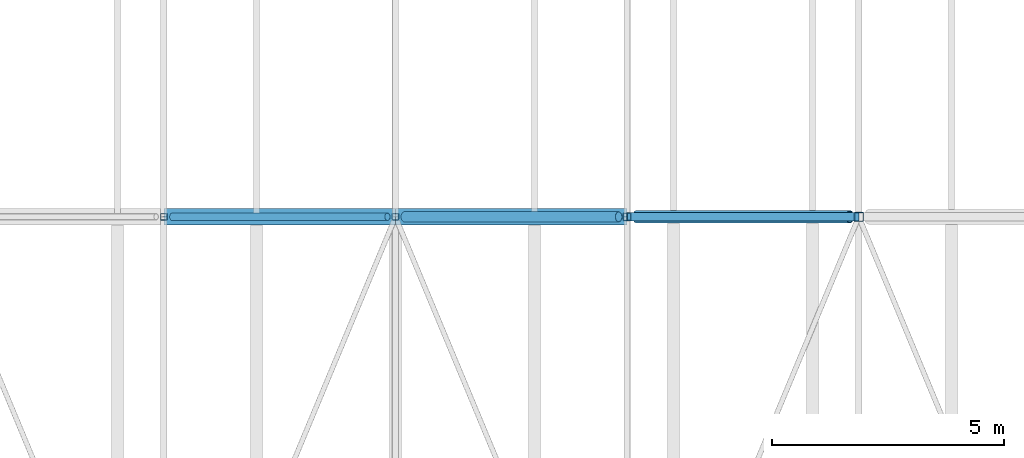
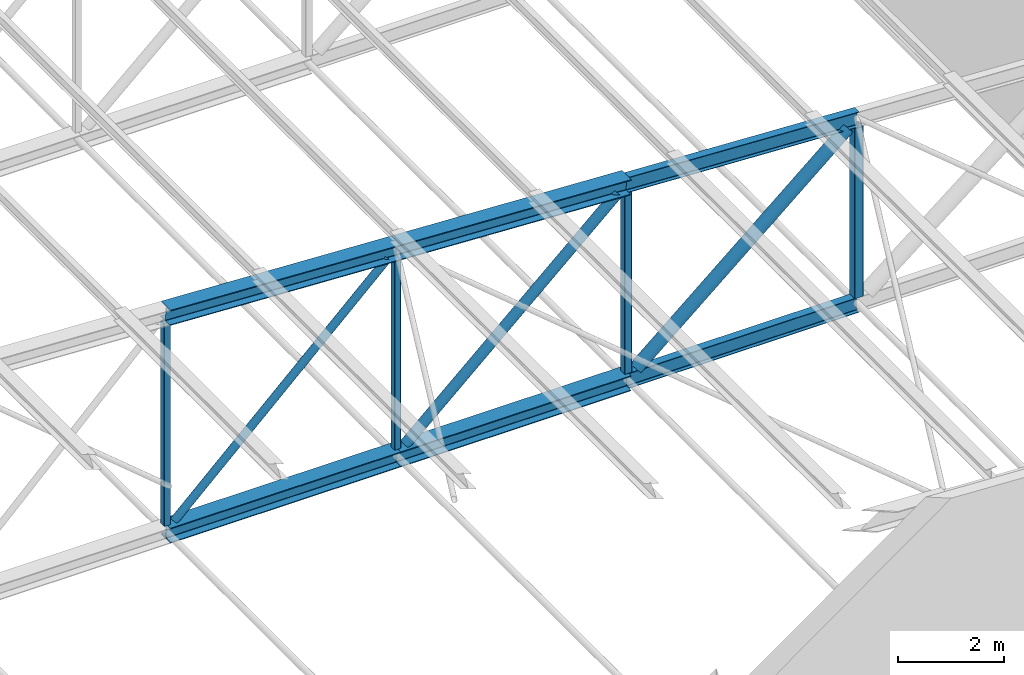
# One storey, part 40 of 156: 13 members.
"""IFC4 building model written with IfcOpenShell, lengths in metres."""

import ifcopenshell
import ifcopenshell.guid

model = None  # the IFC model being written
_history = None  # IfcOwnerHistory: only IFC2X3 demands one
_inside = {}  # id of a spatial element -> (the spatial element, [elements in it])
_under = {}  # id of a project, library or spatial element -> (it, [spatial elements below it])
_declared = {}  # id of a project -> (the project, [libraries it declares])
_typed = {}  # id of a type object -> (the type object, [elements of that type])
_made_of = {}  # id of a material, layer set ... -> (it, [elements and type objects made of it])


def new_model(schema):
    """Start an empty IFC model of exactly this schema.

    Asked for "IFC4X3", IfcOpenShell would pick the latest addendum, in which some entities
    have other attributes; the version numbers below select the first issue.
    IFC2X3 requires an IfcOwnerHistory on every rooted entity: one is made here for all.
    """
    global model, _history
    if schema == "IFC4X3":
        model = ifcopenshell.file(schema_version=(4, 3, 0, 0))
    else:
        model = ifcopenshell.file(schema=schema)
    _inside.clear()
    _under.clear()
    _declared.clear()
    _typed.clear()
    _made_of.clear()
    _history = None
    if model.schema == "IFC2X3":
        org = make("IfcOrganization", Name="unknown")
        user = make(
            "IfcPersonAndOrganization",
            ThePerson=make("IfcPerson", FamilyName="unknown"),
            TheOrganization=org,
        )
        app = make(
            "IfcApplication",
            ApplicationDeveloper=org,
            Version="unknown",
            ApplicationFullName="unknown",
            ApplicationIdentifier="unknown",
        )
        _history = make(
            "IfcOwnerHistory",
            OwningUser=user,
            OwningApplication=app,
            ChangeAction="ADDED",
            CreationDate=0,
        )
    return model


def make(cls, **values):
    """One entity of the class cls with the attributes given. An attribute that is None is left unset."""
    return model.create_entity(
        cls, **{name: value for name, value in values.items() if value is not None}
    )


def rooted(cls, **values):
    """An entity with a GlobalId (a new one), such as an element, a storey or a relation."""
    return make(cls, GlobalId=ifcopenshell.guid.new(), OwnerHistory=_history, **values)


def si_unit(unit_type, name, prefix=None):
    """IfcSIUnit, for example si_unit("LENGTHUNIT", "METRE", prefix="MILLI")."""
    return make("IfcSIUnit", UnitType=unit_type, Prefix=prefix, Name=name)


def assignment(units):
    """IfcUnitAssignment: the units of a project."""
    return None if units is None else make("IfcUnitAssignment", Units=units)


def point(xyz):
    """IfcCartesianPoint."""
    return None if xyz is None else make("IfcCartesianPoint", Coordinates=xyz)


def direction(xyz):
    """IfcDirection."""
    return None if xyz is None else make("IfcDirection", DirectionRatios=xyz)


def frame(location, z_axis=None, x_axis=None):
    """IfcAxis2Placement3D, a coordinate frame: its origin and axes. An axis left out is left unset."""
    return make(
        "IfcAxis2Placement3D",
        Location=point(location),
        Axis=direction(z_axis),
        RefDirection=direction(x_axis),
    )


def frame_2d(location, x_axis=None):
    """IfcAxis2Placement2D, a coordinate frame in the plane: its origin and x axis."""
    return make(
        "IfcAxis2Placement2D", Location=point(location), RefDirection=direction(x_axis)
    )


def origin():
    """The frame at (0, 0, 0) with its axes left unset."""
    return frame((0.0, 0.0, 0.0))


def origin_2d():
    """The frame at (0, 0) in the plane with its x axis left unset."""
    return frame_2d((0.0, 0.0))


def place(relative_to, where):
    """IfcLocalPlacement: puts the frame where relative to a parent placement (None: the world)."""
    return make(
        "IfcLocalPlacement", PlacementRelTo=relative_to, RelativePlacement=where
    )


def context(
    kind, dimensions, precision=None, world=None, true_north=None, identifier=None
):
    """IfcGeometricRepresentationContext, for example the 3D "Model" context."""
    return make(
        "IfcGeometricRepresentationContext",
        ContextIdentifier=identifier,
        ContextType=kind,
        CoordinateSpaceDimension=dimensions,
        Precision=precision,
        WorldCoordinateSystem=world,
        TrueNorth=true_north,
    )


def subcontext(parent, identifier, kind, view, scale=None):
    """IfcGeometricRepresentationSubContext, for example "Body" below "Model"."""
    return make(
        "IfcGeometricRepresentationSubContext",
        ContextIdentifier=identifier,
        ContextType=kind,
        ParentContext=parent,
        TargetScale=scale,
        TargetView=view,
    )


def project(units=None, contexts=None):
    """IfcProject with its units and contexts."""
    return rooted(
        "IfcProject",
        Name="project",
        RepresentationContexts=contexts,
        UnitsInContext=assignment(units),
    )


def spatial(cls, under=None, at=None, **own):
    """A site, building, storey or space (cls), placed at a placement, below another one or the project."""
    s = rooted(cls, ObjectPlacement=at, **own)
    if under is not None:
        _under.setdefault(under.id(), (under, []))[1].append(s)
    return s


def profile(cls, at=None, kind="AREA", **sizes):
    """A parametric profile (cls). Its sizes go by their IFC names, for example OverallWidth=200.0."""
    return make(cls, ProfileType=kind, Position=at, **sizes)


def hollow_rectangle(**sizes):
    """IfcRectangleHollowProfileDef."""
    return profile("IfcRectangleHollowProfileDef", **sizes)


def hollow_circle(**sizes):
    """IfcCircleHollowProfileDef."""
    return profile("IfcCircleHollowProfileDef", **sizes)


def i_section(**sizes):
    """IfcIShapeProfileDef."""
    return profile("IfcIShapeProfileDef", **sizes)


def extrude(swept, where, along, depth):
    """IfcExtrudedAreaSolid: the profile swept, set in the frame where, extruded along a direction by depth."""
    return make(
        "IfcExtrudedAreaSolid",
        SweptArea=swept,
        Position=where,
        ExtrudedDirection=direction(along),
        Depth=depth,
    )


def shape(context_of_items, identifier, shape_type, items):
    """IfcShapeRepresentation: the items that make up one representation, for example the "Body"."""
    return make(
        "IfcShapeRepresentation",
        ContextOfItems=context_of_items,
        RepresentationIdentifier=identifier,
        RepresentationType=shape_type,
        Items=items,
    )


def material(Name=None, Category=None):
    """IfcMaterial."""
    return make("IfcMaterial", Name=Name, Category=Category)


def material_profile(
    of_material, cross_section, Name=None, Category=None, Priority=None
):
    """IfcMaterialProfile: a cross section and its material."""
    return make(
        "IfcMaterialProfile",
        Name=Name,
        Material=of_material,
        Profile=cross_section,
        Priority=Priority,
        Category=Category,
    )


def profile_set(profiles, Name=None, composite=None):
    """IfcMaterialProfileSet."""
    return make(
        "IfcMaterialProfileSet",
        Name=Name,
        MaterialProfiles=profiles,
        CompositeProfile=composite,
    )


def made_of(thing, what):
    """Note that an element or type object is made of a material, layer set ...; save() writes the relation."""
    if what is not None:
        _made_of.setdefault(what.id(), (what, []))[1].append(thing)
    return thing


def type_object(cls, material=None, **own):
    """A type object (cls), such as IfcWallType, which elements share."""
    return made_of(rooted(cls, **own), material)


def element(
    cls,
    number,
    at=None,
    inside=None,
    cuts=None,
    type_object=None,
    material=None,
    context=None,
    identifier="Body",
    shape_type=None,
    held_by="IfcProductDefinitionShape",
    body=None,
    shapes=None,
    **own,
):
    """One element of the class cls, such as IfcWall. Its Tag is "e" and its number.

    at: its placement. inside: the storey or other place that contains it. cuts: it is an
    opening in that element (IfcRelVoidsElement). A single representation is given by context,
    identifier, shape_type and body (its items); several are given by shapes. held_by: the class
    of the entity that holds the representations. save() writes the other relations.
    """
    e = rooted(cls, Tag="e%d" % number, ObjectPlacement=at, **own)
    if body is not None:
        shapes = [shape(context, identifier, shape_type, body)]
    if shapes is not None:
        e.Representation = make(held_by, Representations=shapes)
    if inside is not None:
        _inside.setdefault(inside.id(), (inside, []))[1].append(e)
    if cuts is not None:
        rooted(
            "IfcRelVoidsElement", RelatingBuildingElement=cuts, RelatedOpeningElement=e
        )
    if type_object is not None:
        _typed.setdefault(type_object.id(), (type_object, []))[1].append(e)
    return made_of(e, material)


def aggregate(whole, parts):
    """IfcRelAggregates: a whole, such as a stair, and the parts it consists of."""
    return rooted("IfcRelAggregates", RelatingObject=whole, RelatedObjects=parts)


def save(model, path):
    """Write the relations noted so far, then the file.

    IfcRelAggregates (storeys below a building ...), IfcRelContainedInSpatialStructure (elements
    in a storey), IfcRelDefinesByType, IfcRelAssociatesMaterial and IfcRelDeclares: one each for
    every whole, place, type object, material and project.
    """
    for whole, parts in _under.values():
        aggregate(whole, parts)
    for where, things in _inside.values():
        rooted(
            "IfcRelContainedInSpatialStructure",
            RelatedElements=things,
            RelatingStructure=where,
        )
    for kind, things in _typed.values():
        rooted("IfcRelDefinesByType", RelatedObjects=things, RelatingType=kind)
    for what, things in _made_of.values():
        rooted("IfcRelAssociatesMaterial", RelatedObjects=things, RelatingMaterial=what)
    for by, libraries in _declared.values():
        rooted("IfcRelDeclares", RelatingContext=by, RelatedDefinitions=libraries)
    model.write(path)


model = new_model("IFC4")

# Units and contexts
model_context = context("Model", 3, precision=1e-05, world=origin(), true_north=direction((0.0, 1.0)))
body_context = subcontext(model_context, "Body", "Model", "MODEL_VIEW")
ifc_project = project(units=[si_unit("LENGTHUNIT", "METRE"), si_unit("AREAUNIT", "SQUARE_METRE"), si_unit("VOLUMEUNIT", "CUBIC_METRE"), si_unit("PLANEANGLEUNIT", "RADIAN"), si_unit("MASSUNIT", "GRAM", prefix="KILO")], contexts=[model_context])

# Site, building, storey
site_placement = place(None, origin())
site = spatial("IfcSite", under=ifc_project, at=site_placement, CompositionType="ELEMENT")
building_placement = place(site_placement, origin())
building = spatial("IfcBuilding", under=site, at=building_placement, Name="Lilac Gate Convention Centre", CompositionType="ELEMENT")
storey_placement = place(building_placement, frame((0.0, 0.0, 17.0)))
storey = spatial("IfcBuildingStorey", under=building, at=storey_placement, Name="L03", CompositionType="ELEMENT", Elevation=17.0)

# Members
ifc_material = material(Name="Steel Q355B", Category="steel")
ifc_material_profile_1 = material_profile(ifc_material, i_section(OverallWidth=0.175048828125, OverallDepth=0.35009765625, WebThickness=0.007080078125, FlangeThickness=0.010986328125, FilletRadius=0.012939453125, at=origin_2d()), Name="HN350x175x7x11")
ifc_profile_set_1 = profile_set([ifc_material_profile_1], Name="Steel Q355B")
member_type_1 = type_object("IfcMemberType", Name="Truss bottom chord HN350x175x7x11", PredefinedType="CHORD", material=ifc_profile_set_1)
member_1_placement = place(storey_placement, frame((80.0, 42.0, 0.0), z_axis=(1.0, 0.0, 0.0), x_axis=(0.0, 1.0, 0.0)))
element("IfcMember", 1, at=member_1_placement, inside=storey, type_object=member_type_1, Name="TB1 truss 2 bottom chord 11", PredefinedType="CHORD", context=body_context, shape_type="SweptSolid", body=[
    extrude(i_section(OverallWidth=0.175048828125, OverallDepth=0.35009765625, WebThickness=0.007080078125, FlangeThickness=0.010986328125, FilletRadius=0.012939453125, at=origin_2d()), origin(), (0.0, 0.0, 1.0), 5.0),
])
ifc_material_profile_2 = material_profile(ifc_material, i_section(OverallWidth=0.35009765625, OverallDepth=0.35009765625, WebThickness=0.011962890625, FlangeThickness=0.01904296875, FilletRadius=0.012939453125, at=origin_2d()), Name="HW350x350x12x19")
ifc_profile_set_2 = profile_set([ifc_material_profile_2], Name="Steel Q355B")
member_type_2 = type_object("IfcMemberType", Name="Truss bottom chord HW350x350x12x19", PredefinedType="CHORD", material=ifc_profile_set_2)
for number, where, z_axis, x_axis, name in (
    (2, (70.0, 42.0, 0.0), (1.0, 0.0, 0.0), (0.0, 1.0, 0.0), "TB2 truss 2 bottom chord 9"),
    (3, (75.0, 42.0, 0.0), (1.0, 0.0, 0.0), (0.0, 1.0, 0.0), "TB2 truss 2 bottom chord 10"),
):
    element("IfcMember", number, at=place(storey_placement, frame(where, z_axis=z_axis, x_axis=x_axis)), inside=storey, type_object=member_type_2, Name=name, PredefinedType="CHORD", context=body_context, shape_type="SweptSolid", body=[
        extrude(i_section(OverallWidth=0.35009765625, OverallDepth=0.35009765625, WebThickness=0.011962890625, FlangeThickness=0.01904296875, FilletRadius=0.012939453125, at=origin_2d()), origin(), (0.0, 0.0, 1.0), 5.0),
    ])
ifc_material_profile_3 = material_profile(ifc_material, hollow_circle(Radius=0.084228515625, WallThickness=0.006103515625, at=origin_2d()), Name="CHS168.3x6")
ifc_profile_set_3 = profile_set([ifc_material_profile_3], Name="Steel Q355B")
member_type_3 = type_object("IfcMemberType", Name="Truss diagonal CHS168.3x6", PredefinedType="BRACE", material=ifc_profile_set_3)
member_2_placement = place(storey_placement, frame((74.8271484375, 42.0, 4.585693359375), z_axis=(-0.725020373275, 0.0, -0.688727419475), x_axis=(0.0, -1.0, 0.0)))
element("IfcMember", 4, at=member_2_placement, inside=storey, type_object=member_type_3, Name="TW4 truss 2 diagonal 9", PredefinedType="BRACE", context=body_context, shape_type="SweptSolid", body=[
    extrude(hollow_circle(Radius=0.084228515625, WallThickness=0.006103515625, at=origin_2d()), origin(), (0.0, 0.0, 1.0), 6.404052734375),
])
ifc_material_profile_4 = material_profile(ifc_material, hollow_circle(Radius=0.109619140625, WallThickness=0.008056640625, at=origin_2d()), Name="CHS219.1x8")
ifc_profile_set_4 = profile_set([ifc_material_profile_4], Name="Steel Q355B")
member_type_4 = type_object("IfcMemberType", Name="Truss diagonal CHS219.1x8", PredefinedType="BRACE", material=ifc_profile_set_4)
member_3_placement = place(storey_placement, frame((79.8173828125, 42.0, 4.335693359375), z_axis=(-0.743301953498, 0.0, -0.668956056797), x_axis=(0.0, -1.0, 0.0)))
element("IfcMember", 5, at=member_3_placement, inside=storey, type_object=member_type_4, Name="TW3 truss 2 diagonal 10", PredefinedType="BRACE", context=body_context, shape_type="SweptSolid", body=[
    extrude(hollow_circle(Radius=0.109619140625, WallThickness=0.008056640625, at=origin_2d()), origin(), (0.0, 0.0, 1.0), 6.2197265625),
])
ifc_material_profile_5 = material_profile(ifc_material, hollow_circle(Radius=0.136474609375, WallThickness=0.010009765625, at=origin_2d()), Name="CHS273x10")
ifc_profile_set_5 = profile_set([ifc_material_profile_5], Name="Steel Q355B")
member_type_5 = type_object("IfcMemberType", Name="Truss diagonal CHS273x10", PredefinedType="BRACE", material=ifc_profile_set_5)
member_4_placement = place(storey_placement, frame((84.806884765625, 42.0, 4.085693359375), z_axis=(-0.761961263863, 0.0, -0.647622600263), x_axis=(0.0, -1.0, 0.0)))
element("IfcMember", 6, at=member_4_placement, inside=storey, type_object=member_type_5, Name="TW2 truss 2 diagonal 11", PredefinedType="BRACE", context=body_context, shape_type="SweptSolid", body=[
    extrude(hollow_circle(Radius=0.136474609375, WallThickness=0.010009765625, at=origin_2d()), origin(), (0.0, 0.0, 1.0), 6.03857421875),
])
ifc_material_profile_6 = material_profile(ifc_material, i_section(OverallWidth=0.175048828125, OverallDepth=0.35009765625, WebThickness=0.007080078125, FlangeThickness=0.010986328125, FilletRadius=0.012939453125, at=origin_2d()), Name="HN350x175x7x11")
ifc_profile_set_6 = profile_set([ifc_material_profile_6], Name="Steel Q355B")
member_type_6 = type_object("IfcMemberType", Name="Truss top chord HN350x175x7x11", PredefinedType="CHORD", material=ifc_profile_set_6)
member_5_placement = place(storey_placement, frame((80.0, 42.0, 4.5), z_axis=(0.998752338878, 0.0, -0.049937616944), x_axis=(0.0, 1.0, 0.0)))
element("IfcMember", 7, at=member_5_placement, inside=storey, type_object=member_type_6, Name="TT1 truss 2 top chord 11", PredefinedType="CHORD", context=body_context, shape_type="SweptSolid", body=[
    extrude(i_section(OverallWidth=0.175048828125, OverallDepth=0.35009765625, WebThickness=0.007080078125, FlangeThickness=0.010986328125, FilletRadius=0.012939453125, at=origin_2d()), origin(), (0.0, 0.0, 1.0), 5.00634765625),
])
ifc_material_profile_7 = material_profile(ifc_material, i_section(OverallWidth=0.35009765625, OverallDepth=0.35009765625, WebThickness=0.011962890625, FlangeThickness=0.01904296875, FilletRadius=0.012939453125, at=origin_2d()), Name="HW350x350x12x19")
ifc_profile_set_7 = profile_set([ifc_material_profile_7], Name="Steel Q355B")
member_type_7 = type_object("IfcMemberType", Name="Truss top chord HW350x350x12x19", PredefinedType="CHORD", material=ifc_profile_set_7)
for number, where, z_axis, x_axis, name in (
    (8, (70.0, 42.0, 5.0), (0.998752338878, 0.0, -0.049937616944), (0.0, 1.0, 0.0), "TT2 truss 2 top chord 9"),
    (9, (75.0, 42.0, 4.75), (0.998752338878, 0.0, -0.049937616944), (0.0, 1.0, 0.0), "TT2 truss 2 top chord 10"),
):
    element("IfcMember", number, at=place(storey_placement, frame(where, z_axis=z_axis, x_axis=x_axis)), inside=storey, type_object=member_type_7, Name=name, PredefinedType="CHORD", context=body_context, shape_type="SweptSolid", body=[
        extrude(i_section(OverallWidth=0.35009765625, OverallDepth=0.35009765625, WebThickness=0.011962890625, FlangeThickness=0.01904296875, FilletRadius=0.012939453125, at=origin_2d()), origin(), (0.0, 0.0, 1.0), 5.00634765625),
    ])
ifc_material_profile_8 = material_profile(ifc_material, hollow_rectangle(XDim=0.139892578125, YDim=0.139892578125, WallThickness=0.0048828125, InnerFilletRadius=0.0048828125, OuterFilletRadius=0.010009765625, at=origin_2d()), Name="SHS140x140x5")
ifc_profile_set_8 = profile_set([ifc_material_profile_8], Name="Steel Q355B")
member_type_8 = type_object("IfcMemberType", Name="Truss vertical SHS140x140x5", PredefinedType="STRUT", material=ifc_profile_set_8)
member_6_placement = place(storey_placement, frame((70.0, 42.0, 0.175048828125), z_axis=(0.0, 0.0, 1.0), x_axis=(1.0, 0.0, 0.0)))
element("IfcMember", 10, at=member_6_placement, inside=storey, type_object=member_type_8, Name="TV4 truss 2 vertical 9", PredefinedType="STRUT", context=body_context, shape_type="SweptSolid", body=[
    extrude(hollow_rectangle(XDim=0.139892578125, YDim=0.139892578125, WallThickness=0.0048828125, InnerFilletRadius=0.0048828125, OuterFilletRadius=0.010009765625, at=origin_2d()), origin(), (0.0, 0.0, 1.0), 4.649658203125),
])
member_7_placement = place(storey_placement, frame((75.0, 42.0, 0.175048828125), z_axis=(0.0, 0.0, 1.0), x_axis=(1.0, 0.0, 0.0)))
element("IfcMember", 11, at=member_7_placement, inside=storey, type_object=member_type_8, Name="TV4 truss 2 vertical 10", PredefinedType="STRUT", context=body_context, shape_type="SweptSolid", body=[
    extrude(hollow_rectangle(XDim=0.139892578125, YDim=0.139892578125, WallThickness=0.0048828125, InnerFilletRadius=0.0048828125, OuterFilletRadius=0.010009765625, at=origin_2d()), origin(), (0.0, 0.0, 1.0), 4.399658203125),
])
ifc_material_profile_9 = material_profile(ifc_material, hollow_rectangle(XDim=0.159912109375, YDim=0.159912109375, WallThickness=0.006103515625, InnerFilletRadius=0.006103515625, OuterFilletRadius=0.011962890625, at=origin_2d()), Name="SHS160x160x6")
ifc_profile_set_9 = profile_set([ifc_material_profile_9], Name="Steel Q355B")
member_type_9 = type_object("IfcMemberType", Name="Truss vertical SHS160x160x6", PredefinedType="STRUT", material=ifc_profile_set_9)
member_8_placement = place(storey_placement, frame((80.0, 42.0, 0.175048828125), z_axis=(0.0, 0.0, 1.0), x_axis=(1.0, 0.0, 0.0)))
element("IfcMember", 12, at=member_8_placement, inside=storey, type_object=member_type_9, Name="TV3 truss 2 vertical 11", PredefinedType="STRUT", context=body_context, shape_type="SweptSolid", body=[
    extrude(hollow_rectangle(XDim=0.159912109375, YDim=0.159912109375, WallThickness=0.006103515625, InnerFilletRadius=0.006103515625, OuterFilletRadius=0.011962890625, at=origin_2d()), origin(), (0.0, 0.0, 1.0), 4.149658203125),
])
ifc_material_profile_10 = material_profile(ifc_material, hollow_rectangle(XDim=0.199951171875, YDim=0.199951171875, WallThickness=0.008056640625, InnerFilletRadius=0.011962890625, OuterFilletRadius=0.02001953125, at=origin_2d()), Name="SHS200x200x8")
ifc_profile_set_10 = profile_set([ifc_material_profile_10], Name="Steel Q355B")
member_type_10 = type_object("IfcMemberType", Name="Truss vertical SHS200x200x8", PredefinedType="STRUT", material=ifc_profile_set_10)
member_9_placement = place(storey_placement, frame((85.0, 42.0, 0.175048828125), z_axis=(0.0, 0.0, 1.0), x_axis=(1.0, 0.0, 0.0)))
element("IfcMember", 13, at=member_9_placement, inside=storey, type_object=member_type_10, Name="TV2 truss 2 vertical 12", PredefinedType="STRUT", context=body_context, shape_type="SweptSolid", body=[
    extrude(hollow_rectangle(XDim=0.199951171875, YDim=0.199951171875, WallThickness=0.008056640625, InnerFilletRadius=0.011962890625, OuterFilletRadius=0.02001953125, at=origin_2d()), origin(), (0.0, 0.0, 1.0), 3.899658203125),
])

save(model, "model.ifc")
